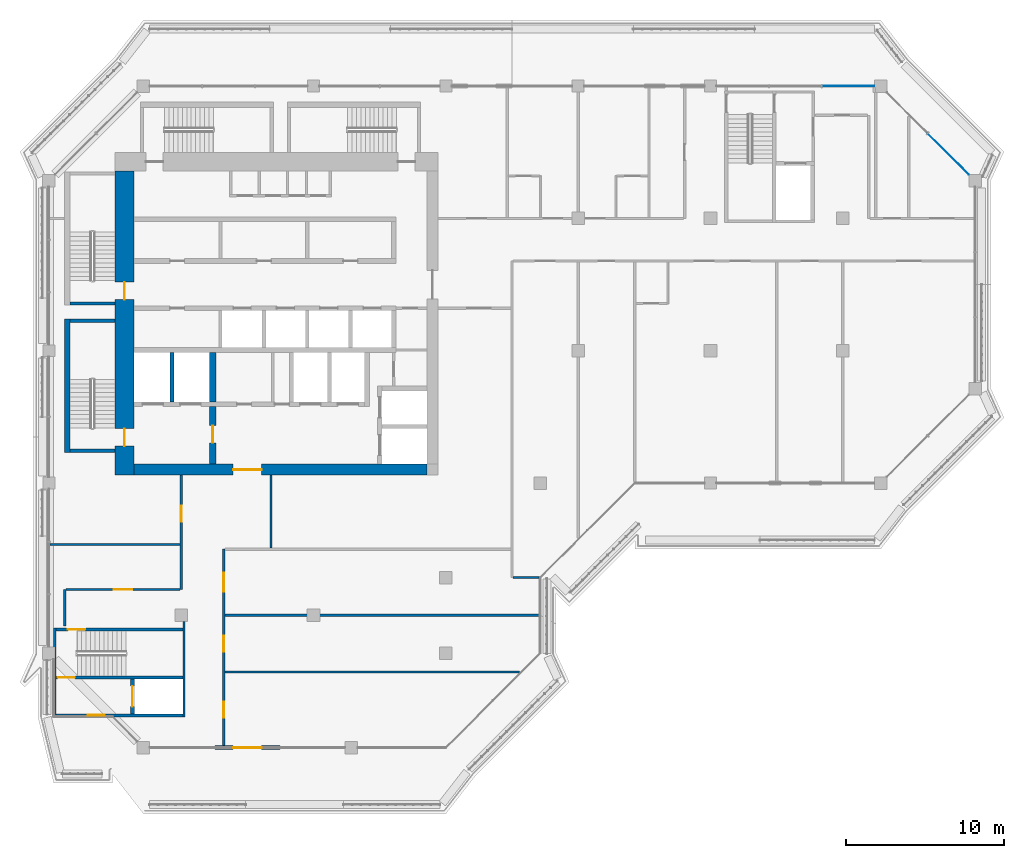
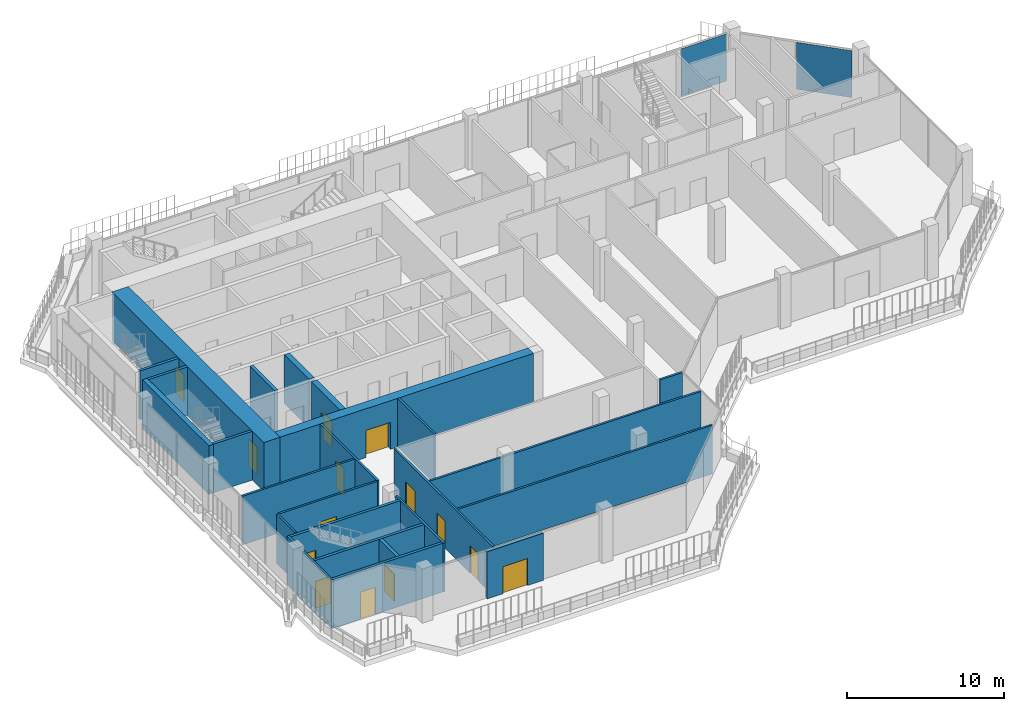
# One storey, part 9 of 20: 25 walls, 14 doors, 2 plates, 14 openings, 2 elements without a shape of their own.
"""IFC4 building model written with IfcOpenShell, lengths in metres."""

from ifc_helpers import new_model, si_unit, direction, frame, frame_2d, origin, origin_2d, place, context, subcontext, project, spatial, rectangle, extrude, material, layer, layer_set, type_object, element, fill, aggregate, save


model = new_model("IFC4")

# Units and contexts
model_context = context("Model", 3, precision=1e-05, world=origin(), true_north=direction((0.0, 1.0)))
body_context = subcontext(model_context, "Body", "Model", "MODEL_VIEW")
ifc_project = project(units=[si_unit("LENGTHUNIT", "METRE"), si_unit("AREAUNIT", "SQUARE_METRE"), si_unit("VOLUMEUNIT", "CUBIC_METRE"), si_unit("PLANEANGLEUNIT", "RADIAN"), si_unit("MASSUNIT", "GRAM", prefix="KILO")], contexts=[model_context])

# Site, building, storey
site_placement = place(None, origin())
site = spatial("IfcSite", under=ifc_project, at=site_placement, CompositionType="ELEMENT")
building_placement = place(site_placement, origin())
building = spatial("IfcBuilding", under=site, at=building_placement, Name="Kawkab Arch Medical Tower", CompositionType="ELEMENT")
storey_placement = place(building_placement, frame((0.0, 0.0, 328.0)))
storey = spatial("IfcBuildingStorey", under=building, at=storey_placement, Name="L76", CompositionType="ELEMENT", Elevation=328.0)

# Curtain wall, plate
ifc_material_1 = material(Name="Bronze anodised aluminium curtain wall frame", Category="aluminium")
ifc_layer_1 = layer(ifc_material_1, 0.159912109375)
ifc_layer_set_1 = layer_set([ifc_layer_1], Name="Bronze anodised aluminium curtain wall frame")
curtain_wall_type_1 = type_object("IfcCurtainWallType", Name="CW1 ward curtain wall", PredefinedType="NOTDEFINED", material=ifc_layer_set_1)
placement = place(storey_placement, origin())
curtain_wall_1 = element("IfcCurtainWall", 1, at=placement, inside=storey, type_object=curtain_wall_type_1, Name="CW1 Ward curtain wall R15", PredefinedType="NOTDEFINED")
ifc_material_2 = material(Name="Tinted insulating glass, bronze low-e coating", Category="glass")
ifc_layer_2 = layer(ifc_material_2, 0.031982421875)
ifc_layer_set_2 = layer_set([ifc_layer_2], Name="Tinted insulating glass, bronze low-e coating")
plate_type_1 = type_object("IfcPlateType", Name="CW1 glazing unit 32", PredefinedType="CURTAIN_PANEL", material=ifc_layer_set_2)
plate_1_placement = place(storey_placement, frame((50.744140625, 0.0, 0.0), z_axis=(0.0, 0.0, 1.0), x_axis=(-1.0, 0.0, 0.0)))
plate_1 = element("IfcPlate", 2, at=plate_1_placement, type_object=plate_type_1, Name="CW1 glazing unit 1.1", PredefinedType="CURTAIN_PANEL", context=body_context, shape_type="SweptSolid", body=[
    extrude(rectangle(XDim=3.311767578125, YDim=0.031982421875, at=origin_2d()), origin(), (0.0, 0.0, 1.0), 3.659912109375),
])
aggregate(curtain_wall_1, [plate_1])

ifc_material_3 = material(Name="Bronze anodised aluminium curtain wall frame", Category="aluminium")
ifc_layer_3 = layer(ifc_material_3, 0.159912109375)
ifc_layer_set_3 = layer_set([ifc_layer_3], Name="Bronze anodised aluminium curtain wall frame")
curtain_wall_type_2 = type_object("IfcCurtainWallType", Name="CW2 chamfer curtain wall", PredefinedType="NOTDEFINED", material=ifc_layer_set_3)
curtain_wall_2 = element("IfcCurtainWall", 3, at=placement, inside=storey, type_object=curtain_wall_type_2, Name="CW2 Chamfer curtain wall R14", PredefinedType="NOTDEFINED")
ifc_material_4 = material(Name="Tinted insulating glass, bronze low-e coating", Category="glass")
ifc_layer_4 = layer(ifc_material_4, 0.031982421875)
ifc_layer_set_4 = layer_set([ifc_layer_4], Name="Tinted insulating glass, bronze low-e coating")
plate_type_2 = type_object("IfcPlateType", Name="CW2 glazing unit 32", PredefinedType="CURTAIN_PANEL", material=ifc_layer_set_4)
plate_2_placement = place(storey_placement, frame((57.110595703125, -4.310546875, 0.0), z_axis=(0.0, 0.0, 1.0), x_axis=(-0.707106781187, 0.707106781187, 0.0)))
plate_2 = element("IfcPlate", 4, at=plate_2_placement, type_object=plate_type_2, Name="CW2 glazing unit 1.1", PredefinedType="CURTAIN_PANEL", context=body_context, shape_type="SweptSolid", body=[
    extrude(rectangle(XDim=3.64697265625, YDim=0.031982421875, at=origin_2d()), origin(), (0.0, 0.0, 1.0), 3.639892578125),
])
aggregate(curtain_wall_2, [plate_2])

# Wall, openings, doors
ifc_material_5 = material(Name="Concrete C50/60", Category="concrete")
ifc_layer_5 = layer(ifc_material_5, 1.199951171875)
ifc_layer_set_5 = layer_set([ifc_layer_5], Name="Concrete C50/60")
wall_type_1 = type_object("IfcWallType", Name="Core ring wall 1200 C50/60", PredefinedType="SHEAR", material=ifc_layer_set_5)
wall_1_placement = place(storey_placement, frame((4.800048828125, -24.699951171875, 0.0), z_axis=(0.0, 0.0, 1.0), x_axis=(0.0, 1.0, 0.0)))
wall_1 = element("IfcWall", 5, at=wall_1_placement, inside=storey, type_object=wall_type_1, Name="L76 core wall", PredefinedType="SHEAR", context=body_context, shape_type="SweptSolid", body=[
    extrude(rectangle(XDim=19.300048828125, YDim=1.199951171875, at=frame_2d((9.64990234375, 0.0))), origin(), (0.0, 0.0, 1.0), 3.780029296875),
])
opening_1_placement = place(wall_1_placement, frame((11.14990234375, 0.0, 0.0)))
opening_1 = element("IfcOpeningElement", 6, at=opening_1_placement, cuts=wall_1, Name="Opening SD", PredefinedType="OPENING", context=body_context, shape_type="SweptSolid", body=[
    extrude(rectangle(XDim=1.10009765625, YDim=2.10009765625, at=frame_2d((0.550048828125, 1.050048828125))), frame((0.0, 0.60986328125, 0.0), z_axis=(0.0, -1.0, 0.0), x_axis=(1.0, 0.0, 0.0)), (0.0, 0.0, 1.0), 1.219970703125),
])
opening_2_placement = place(wall_1_placement, frame((1.85009765625, 0.0, 0.0)))
opening_2 = element("IfcOpeningElement", 7, at=opening_2_placement, cuts=wall_1, Name="Opening SD", PredefinedType="OPENING", context=body_context, shape_type="SweptSolid", body=[
    extrude(rectangle(XDim=1.10009765625, YDim=2.10009765625, at=frame_2d((0.550048828125, 1.050048828125))), frame((0.0, 0.60986328125, 0.0), z_axis=(0.0, -1.0, 0.0), x_axis=(1.0, 0.0, 0.0)), (0.0, 0.0, 1.0), 1.219970703125),
])
ifc_material_6 = material(Name="Hollow metal fire door leaf")
door_type_1 = type_object("IfcDoorType", Name="Exit stair door 1100", OperationType="SINGLE_SWING_LEFT", PredefinedType="DOOR", material=ifc_material_6)
door_1_placement = place(opening_1_placement, origin())
door_1 = element("IfcDoor", 8, at=door_1_placement, inside=storey, type_object=door_type_1, Name="L76 Exit stair ST1 door", OperationType="SINGLE_SWING_LEFT", OverallHeight=2.10009765625, OverallWidth=1.10009765625, PredefinedType="DOOR", context=body_context, shape_type="SweptSolid", body=[
    extrude(rectangle(XDim=1.10009765625, YDim=2.10009765625, at=frame_2d((0.550048828125, 1.050048828125))), frame((0.0, 0.02490234375, 0.0), z_axis=(0.0, -1.0, 0.0), x_axis=(1.0, 0.0, 0.0)), (0.0, 0.0, 1.0), 0.050048828125),
])
fill(opening_1, door_1)
door_2_placement = place(opening_2_placement, origin())
door_2 = element("IfcDoor", 9, at=door_2_placement, inside=storey, type_object=door_type_1, Name="L76 Exit stair ST2 door", OperationType="SINGLE_SWING_LEFT", OverallHeight=2.10009765625, OverallWidth=1.10009765625, PredefinedType="DOOR", context=body_context, shape_type="SweptSolid", body=[
    extrude(rectangle(XDim=1.10009765625, YDim=2.10009765625, at=frame_2d((0.550048828125, 1.050048828125))), frame((0.0, 0.02490234375, 0.0), z_axis=(0.0, -1.0, 0.0), x_axis=(1.0, 0.0, 0.0)), (0.0, 0.0, 1.0), 0.050048828125),
])
fill(opening_2, door_2)

# Wall, opening, door
ifc_material_7 = material(Name="Concrete C50/60", Category="concrete")
ifc_layer_6 = layer(ifc_material_7, 0.699951171875)
ifc_layer_set_6 = layer_set([ifc_layer_6], Name="Concrete C50/60")
wall_type_2 = type_object("IfcWallType", Name="Core ring wall 700 C50/60", PredefinedType="SHEAR", material=ifc_layer_set_6)
wall_2_placement = place(storey_placement, frame((5.39990234375, -24.35009765625, 0.0), z_axis=(0.0, 0.0, 1.0), x_axis=(1.0, 0.0, 0.0)))
wall_2 = element("IfcWall", 10, at=wall_2_placement, inside=storey, type_object=wall_type_2, Name="L76 core wall", PredefinedType="SHEAR", context=body_context, shape_type="SweptSolid", body=[
    extrude(rectangle(XDim=18.60009765625, YDim=0.699951171875, at=frame_2d((9.300048828125, 0.0))), origin(), (0.0, 0.0, 1.0), 3.780029296875),
])
opening_3_placement = place(wall_2_placement, frame((6.300048828125, 0.0, 0.0)))
opening_3 = element("IfcOpeningElement", 11, at=opening_3_placement, cuts=wall_2, Name="Opening PD", PredefinedType="OPENING", context=body_context, shape_type="SweptSolid", body=[
    extrude(rectangle(XDim=1.800048828125, YDim=2.10009765625, at=frame_2d((0.89990234375, 1.050048828125))), frame((0.0, 0.35986328125, 0.0), z_axis=(0.0, -1.0, 0.0), x_axis=(1.0, 0.0, 0.0)), (0.0, 0.0, 1.0), 0.719970703125),
])
ifc_material_8 = material(Name="Hollow metal fire door leaf")
door_type_2 = type_object("IfcDoorType", Name="Core entrance doors 1800", OperationType="DOUBLE_DOOR_SINGLE_SWING", PredefinedType="DOOR", material=ifc_material_8)
door_3_placement = place(opening_3_placement, origin())
door_3 = element("IfcDoor", 12, at=door_3_placement, inside=storey, type_object=door_type_2, Name="L76 South entrance doors", OperationType="DOUBLE_DOOR_SINGLE_SWING", OverallHeight=2.10009765625, OverallWidth=1.800048828125, PredefinedType="DOOR", context=body_context, shape_type="SweptSolid", body=[
    extrude(rectangle(XDim=1.800048828125, YDim=2.10009765625, at=frame_2d((0.89990234375, 1.050048828125))), frame((0.0, 0.02490234375, 0.0), z_axis=(0.0, -1.0, 0.0), x_axis=(1.0, 0.0, 0.0)), (0.0, 0.0, 1.0), 0.050048828125),
])
fill(opening_3, door_3)

# Wall
ifc_material_9 = material(Name="Concrete C60/75", Category="concrete")
ifc_layer_7 = layer(ifc_material_9, 0.25)
ifc_layer_set_7 = layer_set([ifc_layer_7], Name="Concrete C60/75")
wall_type_3 = type_object("IfcWallType", Name="Core shear wall 250 C60/75", PredefinedType="SHEAR", material=ifc_layer_set_7)
wall_3_placement = place(storey_placement, frame((7.800048828125, -20.050048828125, 0.0), z_axis=(0.0, 0.0, 1.0), x_axis=(0.0, 1.0, 0.0)))
element("IfcWall", 13, at=wall_3_placement, inside=storey, type_object=wall_type_3, Name="L76 core shear wall", PredefinedType="SHEAR", context=body_context, shape_type="SweptSolid", body=[
    extrude(rectangle(XDim=3.150146484375, YDim=0.25, at=frame_2d((1.5751953125, 0.0))), origin(), (0.0, 0.0, 1.0), 3.780029296875),
])

# Wall, opening, door
wall_4_placement = place(storey_placement, frame((5.300048828125, -39.85009765625, 0.0), z_axis=(0.0, 0.0, 1.0), x_axis=(0.0, 1.0, 0.0)))
wall_4 = element("IfcWall", 14, at=wall_4_placement, inside=storey, type_object=wall_type_3, Name="L76 core shear wall", PredefinedType="SHEAR", context=body_context, shape_type="SweptSolid", body=[
    extrude(rectangle(XDim=2.2001953125, YDim=0.25, at=frame_2d((1.10009765625, 0.0))), origin(), (0.0, 0.0, 1.0), 3.780029296875),
])
opening_4_placement = place(wall_4_placement, frame((0.449951171875, 0.0, 0.0)))
opening_4 = element("IfcOpeningElement", 15, at=opening_4_placement, cuts=wall_4, Name="Opening LD2", PredefinedType="OPENING", context=body_context, shape_type="SweptSolid", body=[
    extrude(rectangle(XDim=1.300048828125, YDim=2.10009765625, at=frame_2d((0.64990234375, 1.050048828125))), frame((0.0, 0.135009765625, 0.0), z_axis=(0.0, -1.0, 0.0), x_axis=(1.0, 0.0, 0.0)), (0.0, 0.0, 1.0), 0.27001953125),
])
ifc_material_10 = material(Name="Stainless steel lift door leaf", Category="steel")
door_type_3 = type_object("IfcDoorType", Name="Lift landing door 1300", OperationType="DOUBLE_DOOR_SLIDING", PredefinedType="DOOR", material=ifc_material_10)
door_4_placement = place(opening_4_placement, origin())
door_4 = element("IfcDoor", 16, at=door_4_placement, inside=storey, type_object=door_type_3, Name="L76 Lift landing door SV2", OperationType="DOUBLE_DOOR_SLIDING", OverallHeight=2.10009765625, OverallWidth=1.300048828125, PredefinedType="DOOR", context=body_context, shape_type="SweptSolid", body=[
    extrude(rectangle(XDim=1.300048828125, YDim=2.10009765625, at=frame_2d((0.64990234375, 1.050048828125))), frame((0.0, 0.02490234375, 0.0), z_axis=(0.0, -1.0, 0.0), x_axis=(1.0, 0.0, 0.0)), (0.0, 0.0, 1.0), 0.050048828125),
])
fill(opening_4, door_4)

ifc_material_11 = material(Name="Concrete C60/75", Category="concrete")
ifc_layer_8 = layer(ifc_material_11, 0.39990234375)
ifc_layer_set_8 = layer_set([ifc_layer_8], Name="Concrete C60/75")
wall_type_4 = type_object("IfcWallType", Name="Core shear wall 400 C60/75", PredefinedType="SHEAR", material=ifc_layer_set_8)
wall_5_placement = place(storey_placement, frame((10.39990234375, -24.0, 0.0), z_axis=(0.0, 0.0, 1.0), x_axis=(0.0, 1.0, 0.0)))
wall_5 = element("IfcWall", 17, at=wall_5_placement, inside=storey, type_object=wall_type_4, Name="L76 core shear wall", PredefinedType="SHEAR", context=body_context, shape_type="SweptSolid", body=[
    extrude(rectangle(XDim=3.64990234375, YDim=0.39990234375, at=frame_2d((1.824951171875, 0.0))), origin(), (0.0, 0.0, 1.0), 3.780029296875),
])
opening_5_placement = place(wall_5_placement, frame((1.35009765625, 0.0, 0.0)))
opening_5 = element("IfcOpeningElement", 18, at=opening_5_placement, cuts=wall_5, Name="Opening FD", PredefinedType="OPENING", context=body_context, shape_type="SweptSolid", body=[
    extrude(rectangle(XDim=1.10009765625, YDim=2.10009765625, at=frame_2d((0.550048828125, 1.050048828125))), frame((0.0, 0.2099609375, 0.0), z_axis=(0.0, -1.0, 0.0), x_axis=(1.0, 0.0, 0.0)), (0.0, 0.0, 1.0), 0.419921875),
])
ifc_material_12 = material(Name="Hollow metal fire door leaf")
door_type_4 = type_object("IfcDoorType", Name="Firefighting lobby door 1100", OperationType="SINGLE_SWING_LEFT", PredefinedType="DOOR", material=ifc_material_12)
door_5_placement = place(opening_5_placement, origin())
door_5 = element("IfcDoor", 19, at=door_5_placement, inside=storey, type_object=door_type_4, Name="L76 Firefighting lobby door", OperationType="SINGLE_SWING_LEFT", OverallHeight=2.10009765625, OverallWidth=1.10009765625, PredefinedType="DOOR", context=body_context, shape_type="SweptSolid", body=[
    extrude(rectangle(XDim=1.10009765625, YDim=2.10009765625, at=frame_2d((0.550048828125, 1.050048828125))), frame((0.0, 0.02490234375, 0.0), z_axis=(0.0, -1.0, 0.0), x_axis=(1.0, 0.0, 0.0)), (0.0, 0.0, 1.0), 0.050048828125),
])
fill(opening_5, door_5)

# Wall
wall_6_placement = place(storey_placement, frame((10.39990234375, -20.050048828125, 0.0), z_axis=(0.0, 0.0, 1.0), x_axis=(0.0, 1.0, 0.0)))
element("IfcWall", 20, at=wall_6_placement, inside=storey, type_object=wall_type_4, Name="L76 core shear wall", PredefinedType="SHEAR", context=body_context, shape_type="SweptSolid", body=[
    extrude(rectangle(XDim=3.150146484375, YDim=0.39990234375, at=frame_2d((1.5751953125, 0.0))), origin(), (0.0, 0.0, 1.0), 3.780029296875),
])

# Wall, opening, door
ifc_material_13 = material(Name="Bronze clad insulated wall panel")
ifc_layer_9 = layer(ifc_material_13, 0.25)
ifc_layer_set_9 = layer_set([ifc_layer_9], Name="Bronze clad insulated wall panel")
wall_type_5 = type_object("IfcWallType", Name="External wall bay 250", PredefinedType="SOLIDWALL", material=ifc_layer_set_9)
wall_7_placement = place(storey_placement, frame((10.533447265625, -42.0, 0.0), z_axis=(0.0, 0.0, 1.0), x_axis=(1.0, 0.0, 0.0)))
wall_7 = element("IfcWall", 21, at=wall_7_placement, inside=storey, type_object=wall_type_5, Name="External wall bay L76.R07.1.2", PredefinedType="SOLIDWALL", context=body_context, shape_type="SweptSolid", body=[
    extrude(rectangle(XDim=4.13330078125, YDim=0.25, at=frame_2d((2.066650390625, 0.0))), origin(), (0.0, 0.0, 1.0), 3.659912109375),
])
opening_6_placement = place(wall_7_placement, frame((1.166748046875, 0.0, 0.0)))
opening_6 = element("IfcOpeningElement", 22, at=opening_6_placement, cuts=wall_7, Name="Opening W71-701", PredefinedType="OPENING", context=body_context, shape_type="SweptSolid", body=[
    extrude(rectangle(XDim=1.800048828125, YDim=2.10009765625, at=frame_2d((0.89990234375, 1.050048828125))), frame((0.0, 0.135009765625, 0.0), z_axis=(0.0, -1.0, 0.0), x_axis=(1.0, 0.0, 0.0)), (0.0, 0.0, 1.0), 0.27001953125),
])
ifc_material_14 = material(Name="Bronze anodised aluminium door with tinted glass", Category="aluminium")
door_type_5 = type_object("IfcDoorType", Name="Double external door 1800 x 2100", OperationType="DOUBLE_DOOR_SINGLE_SWING", PredefinedType="DOOR", material=ifc_material_14)
door_6_placement = place(opening_6_placement, origin())
door_6 = element("IfcDoor", 23, at=door_6_placement, inside=storey, type_object=door_type_5, Name="External door L76.R07.1.2", OperationType="DOUBLE_DOOR_SINGLE_SWING", OverallHeight=2.10009765625, OverallWidth=1.800048828125, PredefinedType="DOOR", context=body_context, shape_type="SweptSolid", body=[
    extrude(rectangle(XDim=1.800048828125, YDim=2.10009765625, at=frame_2d((0.89990234375, 1.050048828125))), frame((0.0, 0.02490234375, 0.0), z_axis=(0.0, -1.0, 0.0), x_axis=(1.0, 0.0, 0.0)), (0.0, 0.0, 1.0), 0.050048828125),
])
fill(opening_6, door_6)

# Walls
ifc_material_15 = material(Name="Gypsum board partition on steel studs, mineral wool", Category="steel")
ifc_layer_10 = layer(ifc_material_15, 0.14990234375)
ifc_layer_set_10 = layer_set([ifc_layer_10], Name="Gypsum board partition on steel studs, mineral wool")
wall_type_6 = type_object("IfcWallType", Name="Partition 150", PredefinedType="PARTITIONING", material=ifc_layer_set_10)
wall_8_placement = place(storey_placement, frame((11.175048828125, -37.199951171875, 0.0), z_axis=(0.0, 0.0, 1.0), x_axis=(1.0, 0.0, 0.0)))
element("IfcWall", 24, at=wall_8_placement, inside=storey, type_object=wall_type_6, Name="Partition 150 w007", PredefinedType="PARTITIONING", context=body_context, shape_type="SweptSolid", body=[
    extrude(rectangle(XDim=18.7119140625, YDim=0.14990234375, at=frame_2d((9.35595703125, 0.0))), origin(), (0.0, 0.0, 1.0), 3.780029296875),
])
wall_9_placement = place(storey_placement, frame((11.175048828125, -33.60009765625, 0.0), z_axis=(0.0, 0.0, 1.0), x_axis=(1.0, 0.0, 0.0)))
element("IfcWall", 25, at=wall_9_placement, inside=storey, type_object=wall_type_6, Name="Partition 150 w008", PredefinedType="PARTITIONING", context=body_context, shape_type="SweptSolid", body=[
    extrude(rectangle(XDim=19.945068359375, YDim=0.14990234375, at=frame_2d((9.97265625, 0.0))), origin(), (0.0, 0.0, 1.0), 3.780029296875),
])

# Wall, opening, door
wall_10_placement = place(storey_placement, frame((1.075927734375, -31.95703125, 0.0), z_axis=(0.0, 0.0, 1.0), x_axis=(1.0, 0.0, 0.0)))
wall_10 = element("IfcWall", 26, at=wall_10_placement, inside=storey, type_object=wall_type_6, Name="Partition 150 w009", PredefinedType="PARTITIONING", context=body_context, shape_type="SweptSolid", body=[
    extrude(rectangle(XDim=7.2490234375, YDim=0.14990234375, at=frame_2d((3.62451171875, 0.0))), origin(), (0.0, 0.0, 1.0), 3.780029296875),
])
opening_7_placement = place(wall_10_placement, frame((3.02490234375, 0.0, 0.0)))
opening_7 = element("IfcOpeningElement", 27, at=opening_7_placement, cuts=wall_10, Name="Opening W71-021", PredefinedType="OPENING", context=body_context, shape_type="SweptSolid", body=[
    extrude(rectangle(XDim=1.199951171875, YDim=2.10009765625, at=frame_2d((0.60009765625, 1.050048828125))), frame((0.0, 0.0849609375, 0.0), z_axis=(0.0, -1.0, 0.0), x_axis=(1.0, 0.0, 0.0)), (0.0, 0.0, 1.0), 0.169921875),
])
ifc_material_16 = material(Name="Hollow metal door leaf")
door_type_6 = type_object("IfcDoorType", Name="Single door 1200x2100 FD30S", OperationType="NOTDEFINED", PredefinedType="DOOR", material=ifc_material_16)
door_7_placement = place(opening_7_placement, origin())
door_7 = element("IfcDoor", 28, at=door_7_placement, inside=storey, type_object=door_type_6, Name="Door W71-021", OperationType="SINGLE_SWING_LEFT", OverallHeight=2.10009765625, OverallWidth=1.199951171875, PredefinedType="DOOR", context=body_context, shape_type="SweptSolid", body=[
    extrude(rectangle(XDim=1.199951171875, YDim=2.10009765625, at=frame_2d((0.60009765625, 1.050048828125))), frame((0.0, 0.02490234375, 0.0), z_axis=(0.0, -1.0, 0.0), x_axis=(1.0, 0.0, 0.0)), (0.0, 0.0, 1.0), 0.050048828125),
])
fill(opening_7, door_7)

# Walls
wall_11_placement = place(storey_placement, frame((29.47705078125, -31.199951171875, 0.0), z_axis=(0.0, 0.0, 1.0), x_axis=(1.0, 0.0, 0.0)))
element("IfcWall", 29, at=wall_11_placement, inside=storey, type_object=wall_type_6, Name="Partition 150 w010", PredefinedType="PARTITIONING", context=body_context, shape_type="SweptSolid", body=[
    extrude(rectangle(XDim=1.64306640625, YDim=0.14990234375, at=frame_2d((0.821533203125, 0.0))), origin(), (0.0, 0.0, 1.0), 3.780029296875),
])
wall_12_placement = place(storey_placement, frame((0.080078125, -29.10009765625, 0.0), z_axis=(0.0, 0.0, 1.0), x_axis=(1.0, 0.0, 0.0)))
element("IfcWall", 30, at=wall_12_placement, inside=storey, type_object=wall_type_6, Name="Partition 150 w012", PredefinedType="PARTITIONING", context=body_context, shape_type="SweptSolid", body=[
    extrude(rectangle(XDim=8.244873046875, YDim=0.14990234375, at=frame_2d((4.12255859375, 0.0))), origin(), (0.0, 0.0, 1.0), 3.780029296875),
])
wall_13_placement = place(storey_placement, frame((1.0, -34.285888671875, 0.0), z_axis=(0.0, 0.0, 1.0), x_axis=(0.0, 1.0, 0.0)))
element("IfcWall", 31, at=wall_13_placement, inside=storey, type_object=wall_type_6, Name="Partition 150 w019", PredefinedType="PARTITIONING", context=body_context, shape_type="SweptSolid", body=[
    extrude(rectangle(XDim=2.326904296875, YDim=0.14990234375, at=frame_2d((1.16357421875, 0.0))), origin(), (0.0, 0.0, 1.0), 3.780029296875),
])

# Wall, opening, door
wall_14_placement = place(storey_placement, frame((8.39990234375, -31.95703125, 0.0), z_axis=(0.0, 0.0, 1.0), x_axis=(0.0, 1.0, 0.0)))
wall_14 = element("IfcWall", 32, at=wall_14_placement, inside=storey, type_object=wall_type_6, Name="Partition 150 w020", PredefinedType="PARTITIONING", context=body_context, shape_type="SweptSolid", body=[
    extrude(rectangle(XDim=7.257080078125, YDim=0.14990234375, at=frame_2d((3.62841796875, 0.0))), origin(), (0.0, 0.0, 1.0), 3.780029296875),
])
opening_8_placement = place(wall_14_placement, frame((4.306884765625, 0.0, 0.0)))
opening_8 = element("IfcOpeningElement", 33, at=opening_8_placement, cuts=wall_14, Name="Opening W71-012", PredefinedType="OPENING", context=body_context, shape_type="SweptSolid", body=[
    extrude(rectangle(XDim=1.0, YDim=2.10009765625, at=frame_2d((0.5, 1.050048828125))), frame((0.0, 0.0849609375, 0.0), z_axis=(0.0, -1.0, 0.0), x_axis=(1.0, 0.0, 0.0)), (0.0, 0.0, 1.0), 0.169921875),
])
ifc_material_17 = material(Name="Hollow metal door leaf")
door_type_7 = type_object("IfcDoorType", Name="Single door 1000x2100 FD30S", OperationType="NOTDEFINED", PredefinedType="DOOR", material=ifc_material_17)
door_8_placement = place(opening_8_placement, origin())
door_8 = element("IfcDoor", 34, at=door_8_placement, inside=storey, type_object=door_type_7, Name="Door W71-012", OperationType="SINGLE_SWING_RIGHT", OverallHeight=2.10009765625, OverallWidth=1.0, PredefinedType="DOOR", context=body_context, shape_type="SweptSolid", body=[
    extrude(rectangle(XDim=1.0, YDim=2.10009765625, at=frame_2d((0.5, 1.050048828125))), frame((0.0, 0.02490234375, 0.0), z_axis=(0.0, -1.0, 0.0), x_axis=(1.0, 0.0, 0.0)), (0.0, 0.0, 1.0), 0.050048828125),
])
fill(opening_8, door_8)

# Wall, openings, doors
wall_15_placement = place(storey_placement, frame((11.10009765625, -41.919921875, 0.0), z_axis=(0.0, 0.0, 1.0), x_axis=(0.0, 1.0, 0.0)))
wall_15 = element("IfcWall", 35, at=wall_15_placement, inside=storey, type_object=wall_type_6, Name="Partition 150 w021", PredefinedType="PARTITIONING", context=body_context, shape_type="SweptSolid", body=[
    extrude(rectangle(XDim=12.52001953125, YDim=0.14990234375, at=frame_2d((6.260009765625, 0.0))), origin(), (0.0, 0.0, 1.0), 3.780029296875),
])
opening_9_placement = place(wall_15_placement, frame((9.820068359375, 0.0, 0.0)))
opening_9 = element("IfcOpeningElement", 36, at=opening_9_placement, cuts=wall_15, Name="Opening W71-022", PredefinedType="OPENING", context=body_context, shape_type="SweptSolid", body=[
    extrude(rectangle(XDim=1.199951171875, YDim=2.10009765625, at=frame_2d((0.60009765625, 1.050048828125))), frame((0.0, 0.0849609375, 0.0), z_axis=(0.0, -1.0, 0.0), x_axis=(1.0, 0.0, 0.0)), (0.0, 0.0, 1.0), 0.169921875),
])
opening_10_placement = place(wall_15_placement, frame((6.02001953125, 0.0, 0.0)))
opening_10 = element("IfcOpeningElement", 37, at=opening_10_placement, cuts=wall_15, Name="Opening W71-013", PredefinedType="OPENING", context=body_context, shape_type="SweptSolid", body=[
    extrude(rectangle(XDim=1.0, YDim=2.10009765625, at=frame_2d((0.5, 1.050048828125))), frame((0.0, 0.0849609375, 0.0), z_axis=(0.0, -1.0, 0.0), x_axis=(1.0, 0.0, 0.0)), (0.0, 0.0, 1.0), 0.169921875),
])
opening_11_placement = place(wall_15_placement, frame((1.820068359375, 0.0, 0.0)))
opening_11 = element("IfcOpeningElement", 38, at=opening_11_placement, cuts=wall_15, Name="Opening W71-014", PredefinedType="OPENING", context=body_context, shape_type="SweptSolid", body=[
    extrude(rectangle(XDim=1.0, YDim=2.10009765625, at=frame_2d((0.5, 1.050048828125))), frame((0.0, 0.0849609375, 0.0), z_axis=(0.0, -1.0, 0.0), x_axis=(1.0, 0.0, 0.0)), (0.0, 0.0, 1.0), 0.169921875),
])
door_9_placement = place(opening_10_placement, origin())
door_9 = element("IfcDoor", 39, at=door_9_placement, inside=storey, type_object=door_type_7, Name="Door W71-013", OperationType="SINGLE_SWING_RIGHT", OverallHeight=2.10009765625, OverallWidth=1.0, PredefinedType="DOOR", context=body_context, shape_type="SweptSolid", body=[
    extrude(rectangle(XDim=1.0, YDim=2.10009765625, at=frame_2d((0.5, 1.050048828125))), frame((0.0, 0.02490234375, 0.0), z_axis=(0.0, -1.0, 0.0), x_axis=(1.0, 0.0, 0.0)), (0.0, 0.0, 1.0), 0.050048828125),
])
fill(opening_10, door_9)
door_10_placement = place(opening_11_placement, origin())
door_10 = element("IfcDoor", 40, at=door_10_placement, inside=storey, type_object=door_type_7, Name="Door W71-014", OperationType="SINGLE_SWING_RIGHT", OverallHeight=2.10009765625, OverallWidth=1.0, PredefinedType="DOOR", context=body_context, shape_type="SweptSolid", body=[
    extrude(rectangle(XDim=1.0, YDim=2.10009765625, at=frame_2d((0.5, 1.050048828125))), frame((0.0, 0.02490234375, 0.0), z_axis=(0.0, -1.0, 0.0), x_axis=(1.0, 0.0, 0.0)), (0.0, 0.0, 1.0), 0.050048828125),
])
fill(opening_11, door_10)
door_11_placement = place(opening_9_placement, origin())
door_11 = element("IfcDoor", 41, at=door_11_placement, inside=storey, type_object=door_type_6, Name="Door W71-022", OperationType="SINGLE_SWING_LEFT", OverallHeight=2.10009765625, OverallWidth=1.199951171875, PredefinedType="DOOR", context=body_context, shape_type="SweptSolid", body=[
    extrude(rectangle(XDim=1.199951171875, YDim=2.10009765625, at=frame_2d((0.60009765625, 1.050048828125))), frame((0.0, 0.02490234375, 0.0), z_axis=(0.0, -1.0, 0.0), x_axis=(1.0, 0.0, 0.0)), (0.0, 0.0, 1.0), 0.050048828125),
])
fill(opening_9, door_11)

# Walls
wall_16_placement = place(storey_placement, frame((14.10009765625, -29.324951171875, 0.0), z_axis=(0.0, 0.0, 1.0), x_axis=(0.0, 1.0, 0.0)))
element("IfcWall", 42, at=wall_16_placement, inside=storey, type_object=wall_type_6, Name="Partition 150 w022", PredefinedType="PARTITIONING", context=body_context, shape_type="SweptSolid", body=[
    extrude(rectangle(XDim=4.625, YDim=0.14990234375, at=frame_2d((2.3125, 0.0))), origin(), (0.0, 0.0, 1.0), 3.780029296875),
])
ifc_material_18 = material(Name="Concrete C50/60", Category="concrete")
ifc_layer_11 = layer(ifc_material_18, 0.14990234375)
ifc_layer_set_11 = layer_set([ifc_layer_11], Name="Concrete C50/60")
wall_type_7 = type_object("IfcWallType", Name="Stair enclosure wall 150 C50/60", PredefinedType="SHEAR", material=ifc_layer_set_11)
wall_17_placement = place(storey_placement, frame((0.375, -40.050048828125, 0.0), z_axis=(0.0, 0.0, 1.0), x_axis=(0.0, 1.0, 0.0)))
element("IfcWall", 43, at=wall_17_placement, inside=storey, type_object=wall_type_7, Name="L76 stair enclosure wall", PredefinedType="SHEAR", context=body_context, shape_type="SweptSolid", body=[
    extrude(rectangle(XDim=5.650146484375, YDim=0.14990234375, at=frame_2d((2.8251953125, 0.0))), origin(), (0.0, 0.0, 1.0), 3.780029296875),
])
wall_18_placement = place(storey_placement, frame((8.574951171875, -40.050048828125, 0.0), z_axis=(0.0, 0.0, 1.0), x_axis=(0.0, 1.0, 0.0)))
element("IfcWall", 44, at=wall_18_placement, inside=storey, type_object=wall_type_7, Name="L76 stair enclosure wall", PredefinedType="SHEAR", context=body_context, shape_type="SweptSolid", body=[
    extrude(rectangle(XDim=6.050048828125, YDim=0.14990234375, at=frame_2d((3.02490234375, 0.0))), origin(), (0.0, 0.0, 1.0), 3.780029296875),
])
ifc_material_19 = material(Name="Concrete C50/60", Category="concrete")
ifc_layer_12 = layer(ifc_material_19, 0.199951171875)
ifc_layer_set_12 = layer_set([ifc_layer_12], Name="Concrete C50/60")
wall_type_8 = type_object("IfcWallType", Name="Stair enclosure wall 200 C50/60", PredefinedType="SHEAR", material=ifc_layer_set_12)
for number, where, z_axis, x_axis, name in (
    (45, (1.35009765625, -13.800048828125, 0.0), (0.0, 0.0, 1.0), (1.0, 0.0, 0.0), "L76 stair enclosure wall"),
    (46, (1.35009765625, -14.89990234375, 0.0), (0.0, 0.0, 1.0), (1.0, 0.0, 0.0), "L76 stair enclosure wall"),
    (47, (1.35009765625, -23.14990234375, 0.0), (0.0, 0.0, 1.0), (1.0, 0.0, 0.0), "L76 stair enclosure wall"),
):
    element("IfcWall", number, at=place(storey_placement, frame(where, z_axis=z_axis, x_axis=x_axis)), inside=storey, type_object=wall_type_8, Name=name, PredefinedType="SHEAR", context=body_context, shape_type="SweptSolid", body=[
        extrude(rectangle(XDim=2.849853515625, YDim=0.199951171875, at=frame_2d((1.4248046875, 0.0))), origin(), (0.0, 0.0, 1.0), 3.780029296875),
    ])

# Wall, opening, door
wall_19_placement = place(storey_placement, frame((0.449951171875, -34.5, 0.0), z_axis=(0.0, 0.0, 1.0), x_axis=(1.0, 0.0, 0.0)))
wall_19 = element("IfcWall", 48, at=wall_19_placement, inside=storey, type_object=wall_type_8, Name="L76 stair enclosure wall", PredefinedType="SHEAR", context=body_context, shape_type="SweptSolid", body=[
    extrude(rectangle(XDim=8.050048828125, YDim=0.199951171875, at=frame_2d((4.02490234375, 0.0))), origin(), (0.0, 0.0, 1.0), 3.780029296875),
])
opening_12_placement = place(wall_19_placement, frame((0.75, 0.0, 0.0)))
opening_12 = element("IfcOpeningElement", 49, at=opening_12_placement, cuts=wall_19, Name="Opening SD", PredefinedType="OPENING", context=body_context, shape_type="SweptSolid", body=[
    extrude(rectangle(XDim=1.10009765625, YDim=2.10009765625, at=frame_2d((0.550048828125, 1.050048828125))), frame((0.0, 0.10986328125, 0.0), z_axis=(0.0, -1.0, 0.0), x_axis=(1.0, 0.0, 0.0)), (0.0, 0.0, 1.0), 0.219970703125),
])
door_12_placement = place(opening_12_placement, origin())
door_12 = element("IfcDoor", 50, at=door_12_placement, inside=storey, type_object=door_type_1, Name="L76 Exit stair ST6 door", OperationType="SINGLE_SWING_LEFT", OverallHeight=2.10009765625, OverallWidth=1.10009765625, PredefinedType="DOOR", context=body_context, shape_type="SweptSolid", body=[
    extrude(rectangle(XDim=1.10009765625, YDim=2.10009765625, at=frame_2d((0.550048828125, 1.050048828125))), frame((0.0, 0.02490234375, 0.0), z_axis=(0.0, -1.0, 0.0), x_axis=(1.0, 0.0, 0.0)), (0.0, 0.0, 1.0), 0.050048828125),
])
fill(opening_12, door_12)

wall_20_placement = place(storey_placement, frame((0.449951171875, -37.550048828125, 0.0), z_axis=(0.0, 0.0, 1.0), x_axis=(1.0, 0.0, 0.0)))
wall_20 = element("IfcWall", 51, at=wall_20_placement, inside=storey, type_object=wall_type_8, Name="L76 stair enclosure wall", PredefinedType="SHEAR", context=body_context, shape_type="SweptSolid", body=[
    extrude(rectangle(XDim=8.050048828125, YDim=0.199951171875, at=frame_2d((4.02490234375, 0.0))), origin(), (0.0, 0.0, 1.0), 3.780029296875),
])
opening_13_placement = place(wall_20_placement, frame((0.10009765625, 0.0, 0.0)))
opening_13 = element("IfcOpeningElement", 52, at=opening_13_placement, cuts=wall_20, Name="Opening SD", PredefinedType="OPENING", context=body_context, shape_type="SweptSolid", body=[
    extrude(rectangle(XDim=1.10009765625, YDim=2.10009765625, at=frame_2d((0.550048828125, 1.050048828125))), frame((0.0, 0.10986328125, 0.0), z_axis=(0.0, -1.0, 0.0), x_axis=(1.0, 0.0, 0.0)), (0.0, 0.0, 1.0), 0.219970703125),
])
door_13_placement = place(opening_13_placement, frame((1.10009765625, 0.0, 0.0), z_axis=(0.0, 0.0, 1.0), x_axis=(-1.0, 0.0, 0.0)))
door_13 = element("IfcDoor", 53, at=door_13_placement, inside=storey, type_object=door_type_1, Name="L76 Exit stair ST6 lobby door", OperationType="SINGLE_SWING_LEFT", OverallHeight=2.10009765625, OverallWidth=1.10009765625, PredefinedType="DOOR", context=body_context, shape_type="SweptSolid", body=[
    extrude(rectangle(XDim=1.10009765625, YDim=2.10009765625, at=frame_2d((0.550048828125, 1.050048828125))), frame((0.0, 0.02490234375, 0.0), z_axis=(0.0, -1.0, 0.0), x_axis=(1.0, 0.0, 0.0)), (0.0, 0.0, 1.0), 0.050048828125),
])
fill(opening_13, door_13)

wall_21_placement = place(storey_placement, frame((0.449951171875, -39.949951171875, 0.0), z_axis=(0.0, 0.0, 1.0), x_axis=(1.0, 0.0, 0.0)))
wall_21 = element("IfcWall", 54, at=wall_21_placement, inside=storey, type_object=wall_type_8, Name="L76 stair enclosure wall", PredefinedType="SHEAR", context=body_context, shape_type="SweptSolid", body=[
    extrude(rectangle(XDim=8.050048828125, YDim=0.199951171875, at=frame_2d((4.02490234375, 0.0))), origin(), (0.0, 0.0, 1.0), 3.780029296875),
])
opening_14_placement = place(wall_21_placement, frame((2.0, 0.0, 0.0)))
opening_14 = element("IfcOpeningElement", 55, at=opening_14_placement, cuts=wall_21, Name="Opening FD", PredefinedType="OPENING", context=body_context, shape_type="SweptSolid", body=[
    extrude(rectangle(XDim=1.10009765625, YDim=2.10009765625, at=frame_2d((0.550048828125, 1.050048828125))), frame((0.0, 0.10986328125, 0.0), z_axis=(0.0, -1.0, 0.0), x_axis=(1.0, 0.0, 0.0)), (0.0, 0.0, 1.0), 0.219970703125),
])
door_14_placement = place(opening_14_placement, origin())
door_14 = element("IfcDoor", 56, at=door_14_placement, inside=storey, type_object=door_type_4, Name="L76 Service lift lobby door SV2", OperationType="SINGLE_SWING_LEFT", OverallHeight=2.10009765625, OverallWidth=1.10009765625, PredefinedType="DOOR", context=body_context, shape_type="SweptSolid", body=[
    extrude(rectangle(XDim=1.10009765625, YDim=2.10009765625, at=frame_2d((0.550048828125, 1.050048828125))), frame((0.0, 0.02490234375, 0.0), z_axis=(0.0, -1.0, 0.0), x_axis=(1.0, 0.0, 0.0)), (0.0, 0.0, 1.0), 0.050048828125),
])
fill(opening_14, door_14)

# Wall
ifc_material_20 = material(Name="Concrete C50/60", Category="concrete")
ifc_layer_13 = layer(ifc_material_20, 0.35009765625)
ifc_layer_set_13 = layer_set([ifc_layer_13], Name="Concrete C50/60")
wall_type_9 = type_object("IfcWallType", Name="Stair enclosure wall 350 C50/60", PredefinedType="SHEAR", material=ifc_layer_set_13)
wall_22_placement = place(storey_placement, frame((1.175048828125, -23.25, 0.0), z_axis=(0.0, 0.0, 1.0), x_axis=(0.0, 1.0, 0.0)))
element("IfcWall", 57, at=wall_22_placement, inside=storey, type_object=wall_type_9, Name="L76 stair enclosure wall", PredefinedType="SHEAR", context=body_context, shape_type="SweptSolid", body=[
    extrude(rectangle(XDim=8.449951171875, YDim=0.35009765625, at=frame_2d((4.22509765625, 0.0))), origin(), (0.0, 0.0, 1.0), 3.780029296875),
])

save(model, "model.ifc")
